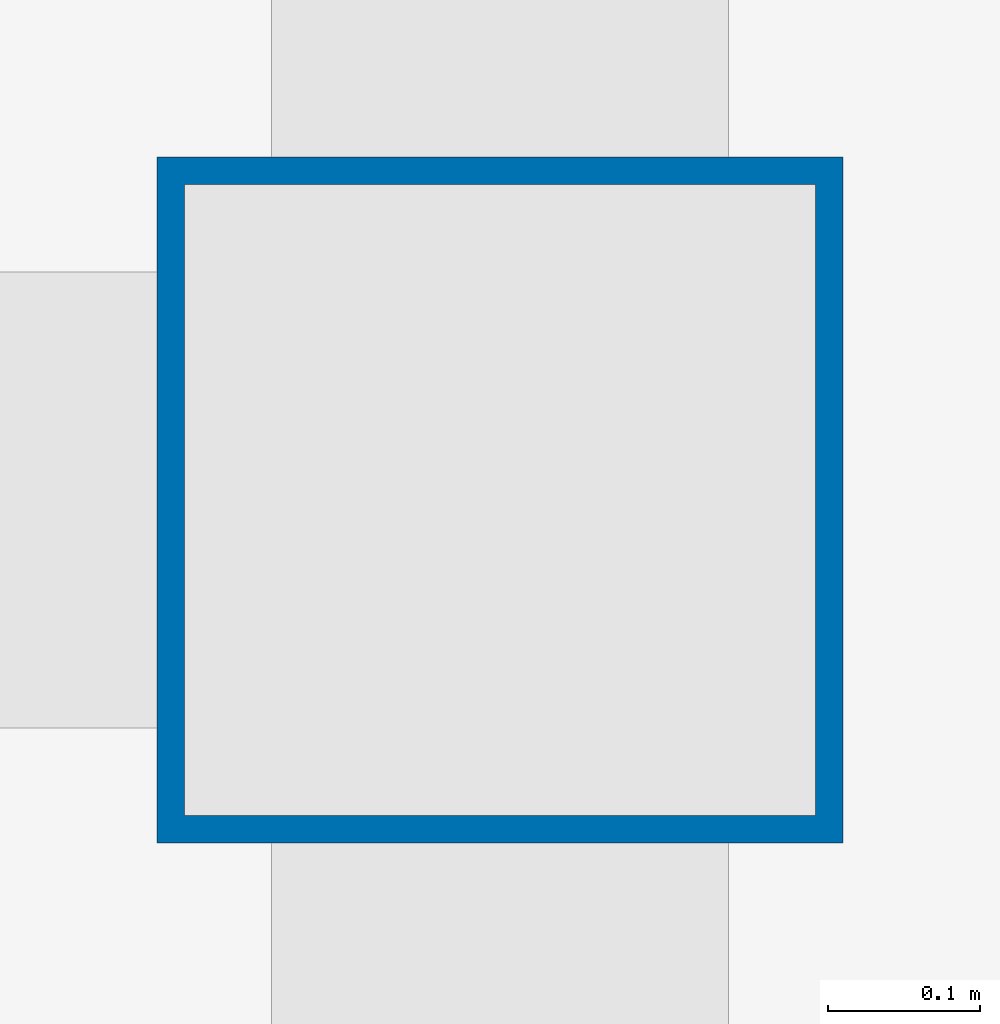
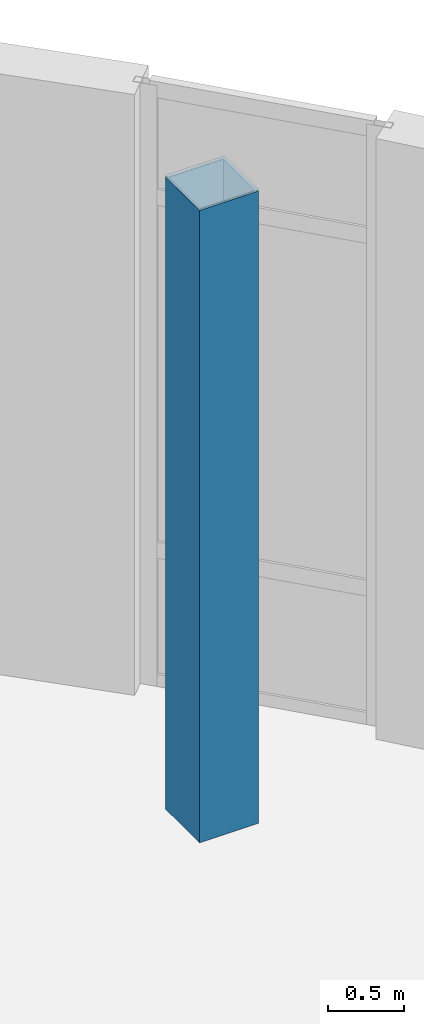
# One storey, part 12 of 57: 1 column.
"""IFC4 building model written with IfcOpenShell, lengths in metres."""

from ifc_helpers import new_model, si_unit, direction, frame, origin, origin_2d, place, context, subcontext, project, spatial, hollow_rectangle, extrude, material, material_profile, profile_set, type_object, element, save


model = new_model("IFC4")

# Units and contexts
model_context = context("Model", 3, precision=1e-05, world=origin(), true_north=direction((0.0, 1.0)))
body_context = subcontext(model_context, "Body", "Model", "MODEL_VIEW")
ifc_project = project(units=[si_unit("LENGTHUNIT", "METRE"), si_unit("AREAUNIT", "SQUARE_METRE"), si_unit("VOLUMEUNIT", "CUBIC_METRE"), si_unit("PLANEANGLEUNIT", "RADIAN"), si_unit("MASSUNIT", "GRAM", prefix="KILO"), si_unit("THERMODYNAMICTEMPERATUREUNIT", "KELVIN")], contexts=[model_context])

# Site, building, storey
site_placement = place(None, origin())
site = spatial("IfcSite", under=ifc_project, at=site_placement, CompositionType="ELEMENT")
building_placement = place(site_placement, origin())
building = spatial("IfcBuilding", under=site, at=building_placement, Name="Lustrewick Department Store", CompositionType="ELEMENT")
storey_placement = place(building_placement, frame((0.0, 0.0, 26.699951171875)))
storey = spatial("IfcBuildingStorey", under=building, at=storey_placement, Name="L06", CompositionType="ELEMENT", Elevation=26.699951171875)

# Column
ifc_material = material(Name="Structural steel Q355B", Category="steel")
ifc_material_profile = material_profile(ifc_material, hollow_rectangle(XDim=0.449951171875, YDim=0.449951171875, WallThickness=0.01806640625, at=origin_2d()), Name="BOX 450x450x18")
ifc_profile_set = profile_set([ifc_material_profile], Name="Structural steel Q355B")
column_type = type_object("IfcColumnType", Name="C07", PredefinedType="COLUMN", material=ifc_profile_set)
column_placement = place(storey_placement, frame((142.800048828125, 84.0, 0.0), z_axis=(0.0, 0.0, 1.0), x_axis=(1.0, 0.0, 0.0)))
element("IfcColumn", 1, at=column_placement, inside=storey, type_object=column_type, Name="L06 V4 Column C07", PredefinedType="COLUMN", context=body_context, shape_type="SweptSolid", body=[
    extrude(hollow_rectangle(XDim=0.449951171875, YDim=0.449951171875, WallThickness=0.01806640625, at=origin_2d()), origin(), (0.0, 0.0, 1.0), 5.10009765625),
])

save(model, "model.ifc")
